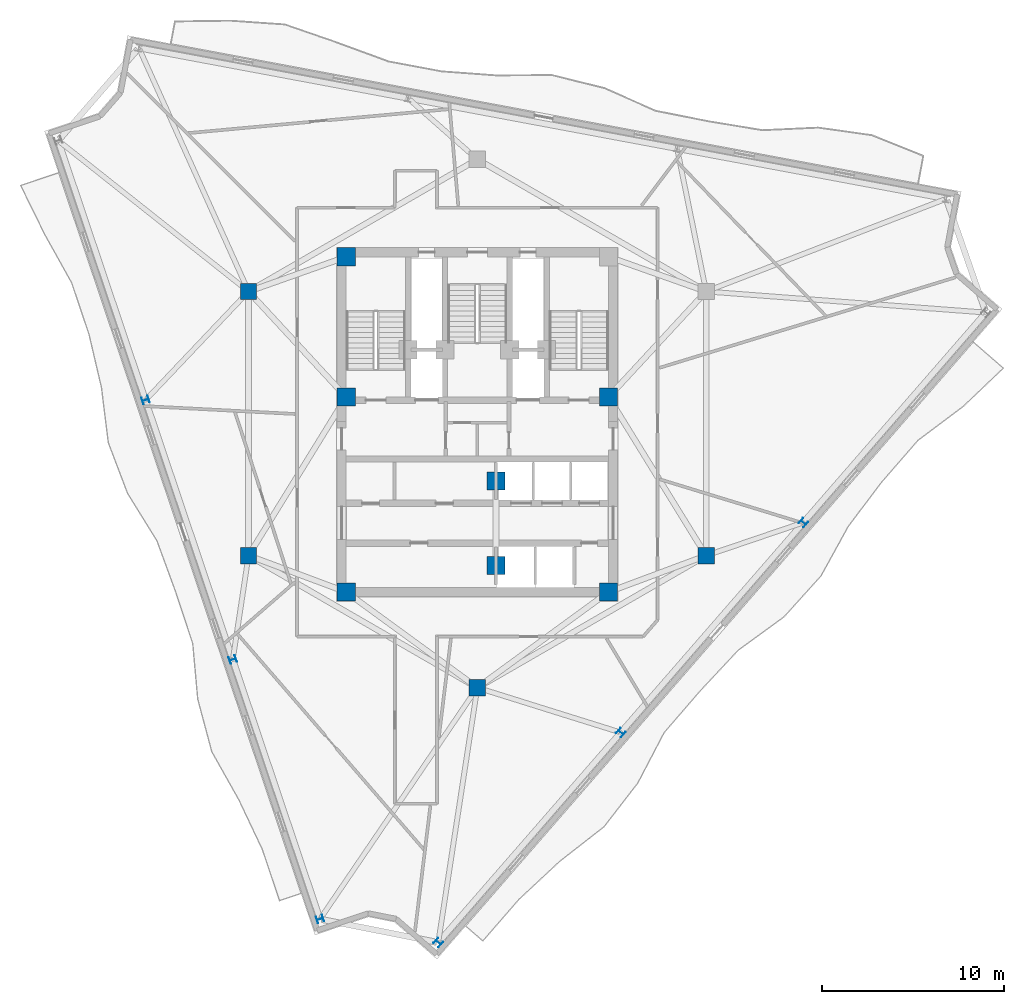
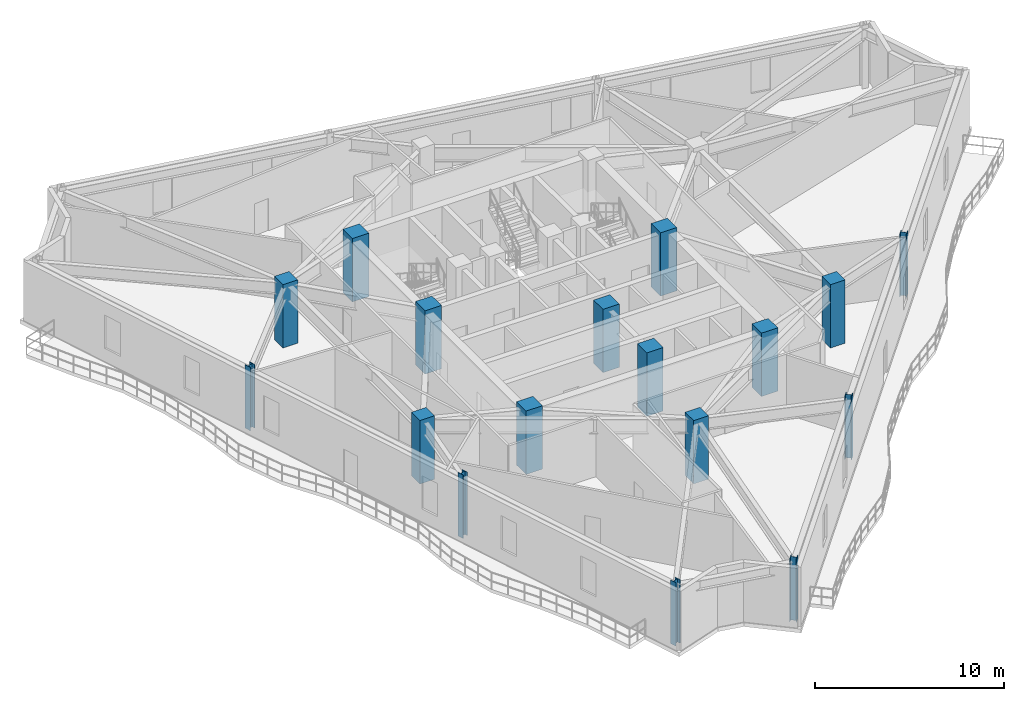
# One storey, part 1 of 11: 17 columns.
"""IFC4 building model written with IfcOpenShell, lengths in metres."""

from ifc_helpers import new_model, si_unit, direction, frame, origin, origin_2d, place, context, subcontext, project, spatial, rectangle, i_section, extrude, material, material_profile, profile_set, type_object, element, save


model = new_model("IFC4")

# Units and contexts
model_context = context("Model", 3, precision=1e-05, world=origin(), true_north=direction((0.0, 1.0)))
body_context = subcontext(model_context, "Body", "Model", "MODEL_VIEW")
ifc_project = project(units=[si_unit("LENGTHUNIT", "METRE"), si_unit("AREAUNIT", "SQUARE_METRE"), si_unit("VOLUMEUNIT", "CUBIC_METRE"), si_unit("PLANEANGLEUNIT", "RADIAN"), si_unit("MASSUNIT", "GRAM", prefix="KILO")], contexts=[model_context])

# Site, building, storey
site_placement = place(None, origin())
site = spatial("IfcSite", under=ifc_project, at=site_placement, CompositionType="ELEMENT")
building_placement = place(site_placement, origin())
building = spatial("IfcBuilding", under=site, at=building_placement, Name="Apsidion Concourse Tower", CompositionType="ELEMENT")
storey_placement = place(building_placement, frame((0.0, 0.0, 281.89990234375)))
storey = spatial("IfcBuildingStorey", under=building, at=storey_placement, Name="L66", CompositionType="ELEMENT", Elevation=281.89990234375)

# Columns
ifc_material_1 = material(Name="Concrete C50/60", Category="concrete")
ifc_material_profile_1 = material_profile(ifc_material_1, rectangle(XDim=1.0, YDim=1.0, at=origin_2d()), Name="RC 1000x1000")
ifc_profile_set_1 = profile_set([ifc_material_profile_1], Name="Concrete C50/60")
column_type_1 = type_object("IfcColumnType", Name="COL-RC-1000", PredefinedType="COLUMN", material=ifc_profile_set_1)
for number, where, z_axis, x_axis, name in (
    (1, (-7.199951171875, -9.25, 0.0), (0.0, 0.0, 1.0), (1.0, 0.0, 0.0), "L66 Core Super-Column SC1"),
    (2, (7.199951171875, -9.25, 0.0), (0.0, 0.0, 1.0), (1.0, 0.0, 0.0), "L66 Core Super-Column SC2"),
    (3, (7.199951171875, 1.449951171875, 0.0), (0.0, 0.0, 1.0), (1.0, 0.0, 0.0), "L66 Core Super-Column SC3"),
    (4, (-7.199951171875, 9.14990234375, 0.0), (0.0, 0.0, 1.0), (1.0, 0.0, 0.0), "L66 Core Super-Column SC5"),
    (5, (-7.199951171875, 1.449951171875, 0.0), (0.0, 0.0, 1.0), (1.0, 0.0, 0.0), "L66 Core Super-Column SC6"),
    (6, (1.02490234375, -3.14990234375, 0.0), (0.0, 0.0, 1.0), (1.0, 0.0, 0.0), "L66 Core Super-Column CC5"),
    (7, (1.02490234375, -7.800048828125, 0.0), (0.0, 0.0, 1.0), (1.0, 0.0, 0.0), "L66 Core Super-Column CC6"),
):
    element("IfcColumn", number, at=place(storey_placement, frame(where, z_axis=z_axis, x_axis=x_axis)), inside=storey, type_object=column_type_1, Name=name, PredefinedType="COLUMN", context=body_context, shape_type="SweptSolid", body=[
        extrude(rectangle(XDim=1.0, YDim=1.0, at=origin_2d()), origin(), (0.0, 0.0, 1.0), 4.10009765625),
    ])
ifc_material_profile_2 = material_profile(ifc_material_1, rectangle(XDim=0.89990234375, YDim=0.89990234375, at=origin_2d()), Name="RC 900x900")
ifc_profile_set_2 = profile_set([ifc_material_profile_2], Name="Concrete C50/60")
column_type_2 = type_object("IfcColumnType", Name="COL-RC-900", PredefinedType="COLUMN", material=ifc_profile_set_2)
for number, where, z_axis, x_axis, name in (
    (8, (-12.56005859375, -7.25, 0.0), (0.0, 0.0, 1.0), (1.0, 0.0, 0.0), "L66 Interior Spine Column IC1"),
    (9, (12.56005859375, -7.25, 0.0), (0.0, 0.0, 1.0), (1.0, 0.0, 0.0), "L66 Interior Spine Column IC2"),
    (10, (-12.56005859375, 7.25, 0.0), (0.0, 0.0, 1.0), (1.0, 0.0, 0.0), "L66 Interior Spine Column IC5"),
    (11, (0.0, -14.5, 0.0), (0.0, 0.0, 1.0), (1.0, 0.0, 0.0), "L66 Interior Spine Column IC6"),
):
    element("IfcColumn", number, at=place(storey_placement, frame(where, z_axis=z_axis, x_axis=x_axis)), inside=storey, type_object=column_type_2, Name=name, PredefinedType="COLUMN", context=body_context, shape_type="SweptSolid", body=[
        extrude(rectangle(XDim=0.89990234375, YDim=0.89990234375, at=origin_2d()), origin(), (0.0, 0.0, 1.0), 4.10009765625),
    ])
ifc_material_2 = material(Name="Structural steel ASTM A992 Grade 50", Category="steel")
ifc_material_profile_3 = material_profile(ifc_material_2, i_section(OverallWidth=0.373046875, OverallDepth=0.373046875, WebThickness=0.016357421875, FlangeThickness=0.026123046875, at=origin_2d()), Name="W14X132")
ifc_profile_set_3 = profile_set([ifc_material_profile_3], Name="Structural steel ASTM A992 Grade 50")
column_type_3 = type_object("IfcColumnType", Name="COL-W14-132", PredefinedType="COLUMN", material=ifc_profile_set_3)
for number, where, z_axis, x_axis, name in (
    (12, (-18.215087890625, 1.285888671875, 0.0), (0.0, 0.0, 1.0), (-0.318628456287, 0.947879690069, 0.0), "L66 Rotated Perimeter Column PC02"),
    (13, (-13.42578125, -12.959228515625, 0.0), (0.0, 0.0, 1.0), (-0.318628456287, 0.947879690069, 0.0), "L66 Rotated Perimeter Column PC03"),
    (14, (-8.636474609375, -27.20458984375, 0.0), (0.0, 0.0, 1.0), (-0.318628456287, 0.947879690069, 0.0), "L66 Rotated Perimeter Column PC04"),
    (15, (-2.146728515625, -28.490478515625, 0.0), (0.0, 0.0, 1.0), (0.656059028991, 0.754709580223, 0.0), "L66 Rotated Perimeter Column PC05"),
    (16, (7.87353515625, -16.96337890625, 0.0), (0.0, 0.0, 1.0), (0.656059028991, 0.754709580223, 0.0), "L66 Rotated Perimeter Column PC06"),
    (17, (17.89404296875, -5.436279296875, 0.0), (0.0, 0.0, 1.0), (0.656059028991, 0.754709580223, 0.0), "L66 Rotated Perimeter Column PC07"),
):
    element("IfcColumn", number, at=place(storey_placement, frame(where, z_axis=z_axis, x_axis=x_axis)), inside=storey, type_object=column_type_3, Name=name, PredefinedType="COLUMN", context=body_context, shape_type="SweptSolid", body=[
        extrude(i_section(OverallWidth=0.373046875, OverallDepth=0.373046875, WebThickness=0.016357421875, FlangeThickness=0.026123046875, at=origin_2d()), origin(), (0.0, 0.0, 1.0), 4.10009765625),
    ])

save(model, "model.ifc")
